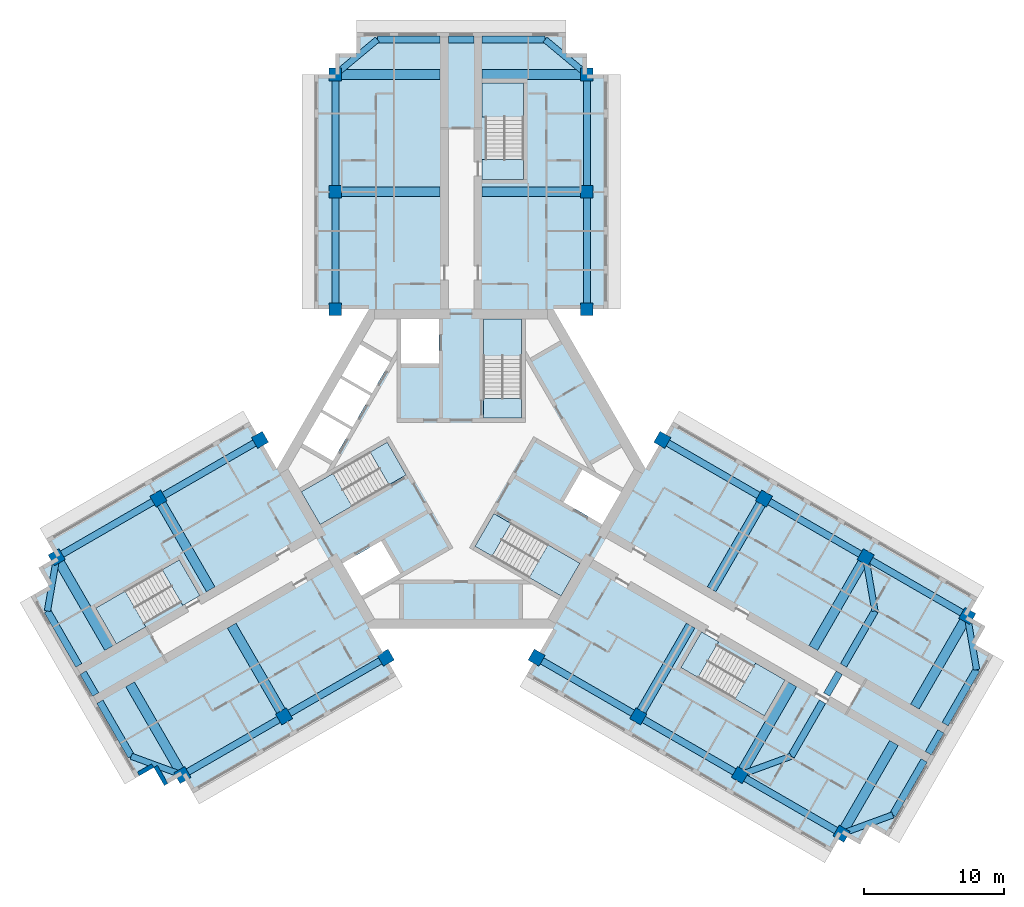
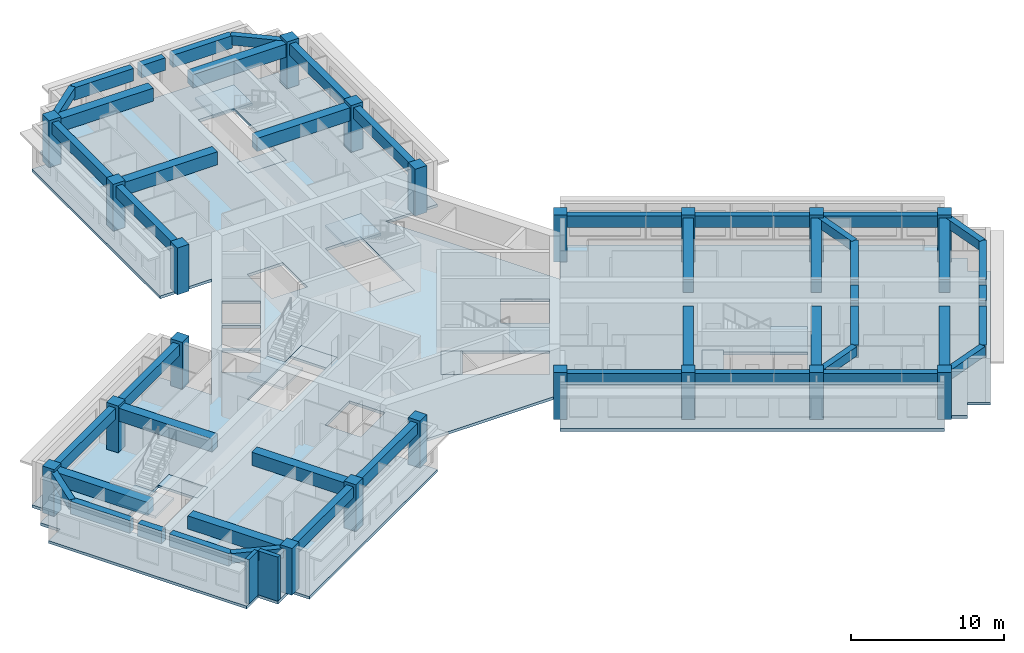
# One storey, part 1 of 11: 48 beams, 20 columns, 13 slabs, 2 walls, 6 elements without a shape of their own.
"""IFC4 building model written with IfcOpenShell, lengths in metres."""

import ifcopenshell
import ifcopenshell.guid

model = None  # the IFC model being written
_history = None  # IfcOwnerHistory: only IFC2X3 demands one
_inside = {}  # id of a spatial element -> (the spatial element, [elements in it])
_under = {}  # id of a project, library or spatial element -> (it, [spatial elements below it])
_declared = {}  # id of a project -> (the project, [libraries it declares])
_typed = {}  # id of a type object -> (the type object, [elements of that type])
_made_of = {}  # id of a material, layer set ... -> (it, [elements and type objects made of it])


def new_model(schema):
    """Start an empty IFC model of exactly this schema.

    Asked for "IFC4X3", IfcOpenShell would pick the latest addendum, in which some entities
    have other attributes; the version numbers below select the first issue.
    IFC2X3 requires an IfcOwnerHistory on every rooted entity: one is made here for all.
    """
    global model, _history
    if schema == "IFC4X3":
        model = ifcopenshell.file(schema_version=(4, 3, 0, 0))
    else:
        model = ifcopenshell.file(schema=schema)
    _inside.clear()
    _under.clear()
    _declared.clear()
    _typed.clear()
    _made_of.clear()
    _history = None
    if model.schema == "IFC2X3":
        org = make("IfcOrganization", Name="unknown")
        user = make(
            "IfcPersonAndOrganization",
            ThePerson=make("IfcPerson", FamilyName="unknown"),
            TheOrganization=org,
        )
        app = make(
            "IfcApplication",
            ApplicationDeveloper=org,
            Version="unknown",
            ApplicationFullName="unknown",
            ApplicationIdentifier="unknown",
        )
        _history = make(
            "IfcOwnerHistory",
            OwningUser=user,
            OwningApplication=app,
            ChangeAction="ADDED",
            CreationDate=0,
        )
    return model


def make(cls, **values):
    """One entity of the class cls with the attributes given. An attribute that is None is left unset."""
    return model.create_entity(
        cls, **{name: value for name, value in values.items() if value is not None}
    )


def rooted(cls, **values):
    """An entity with a GlobalId (a new one), such as an element, a storey or a relation."""
    return make(cls, GlobalId=ifcopenshell.guid.new(), OwnerHistory=_history, **values)


def si_unit(unit_type, name, prefix=None):
    """IfcSIUnit, for example si_unit("LENGTHUNIT", "METRE", prefix="MILLI")."""
    return make("IfcSIUnit", UnitType=unit_type, Prefix=prefix, Name=name)


def assignment(units):
    """IfcUnitAssignment: the units of a project."""
    return None if units is None else make("IfcUnitAssignment", Units=units)


def point(xyz):
    """IfcCartesianPoint."""
    return None if xyz is None else make("IfcCartesianPoint", Coordinates=xyz)


def direction(xyz):
    """IfcDirection."""
    return None if xyz is None else make("IfcDirection", DirectionRatios=xyz)


def frame(location, z_axis=None, x_axis=None):
    """IfcAxis2Placement3D, a coordinate frame: its origin and axes. An axis left out is left unset."""
    return make(
        "IfcAxis2Placement3D",
        Location=point(location),
        Axis=direction(z_axis),
        RefDirection=direction(x_axis),
    )


def frame_2d(location, x_axis=None):
    """IfcAxis2Placement2D, a coordinate frame in the plane: its origin and x axis."""
    return make(
        "IfcAxis2Placement2D", Location=point(location), RefDirection=direction(x_axis)
    )


def origin():
    """The frame at (0, 0, 0) with its axes left unset."""
    return frame((0.0, 0.0, 0.0))


def origin_2d():
    """The frame at (0, 0) in the plane with its x axis left unset."""
    return frame_2d((0.0, 0.0))


def place(relative_to, where):
    """IfcLocalPlacement: puts the frame where relative to a parent placement (None: the world)."""
    return make(
        "IfcLocalPlacement", PlacementRelTo=relative_to, RelativePlacement=where
    )


def context(
    kind, dimensions, precision=None, world=None, true_north=None, identifier=None
):
    """IfcGeometricRepresentationContext, for example the 3D "Model" context."""
    return make(
        "IfcGeometricRepresentationContext",
        ContextIdentifier=identifier,
        ContextType=kind,
        CoordinateSpaceDimension=dimensions,
        Precision=precision,
        WorldCoordinateSystem=world,
        TrueNorth=true_north,
    )


def subcontext(parent, identifier, kind, view, scale=None):
    """IfcGeometricRepresentationSubContext, for example "Body" below "Model"."""
    return make(
        "IfcGeometricRepresentationSubContext",
        ContextIdentifier=identifier,
        ContextType=kind,
        ParentContext=parent,
        TargetScale=scale,
        TargetView=view,
    )


def project(units=None, contexts=None):
    """IfcProject with its units and contexts."""
    return rooted(
        "IfcProject",
        Name="project",
        RepresentationContexts=contexts,
        UnitsInContext=assignment(units),
    )


def spatial(cls, under=None, at=None, **own):
    """A site, building, storey or space (cls), placed at a placement, below another one or the project."""
    s = rooted(cls, ObjectPlacement=at, **own)
    if under is not None:
        _under.setdefault(under.id(), (under, []))[1].append(s)
    return s


def polyline(points):
    """IfcPolyline through the points."""
    return make("IfcPolyline", Points=[point(p) for p in points])


def profile(cls, at=None, kind="AREA", **sizes):
    """A parametric profile (cls). Its sizes go by their IFC names, for example OverallWidth=200.0."""
    return make(cls, ProfileType=kind, Position=at, **sizes)


def rectangle(**sizes):
    """IfcRectangleProfileDef."""
    return profile("IfcRectangleProfileDef", **sizes)


def outline(outer, holes=None, kind="AREA"):
    """IfcArbitraryClosedProfileDef: a profile drawn as a closed curve; with holes, ...WithVoids."""
    if holes is None:
        return make("IfcArbitraryClosedProfileDef", ProfileType=kind, OuterCurve=outer)
    return make(
        "IfcArbitraryProfileDefWithVoids",
        ProfileType=kind,
        OuterCurve=outer,
        InnerCurves=holes,
    )


def extrude(swept, where, along, depth):
    """IfcExtrudedAreaSolid: the profile swept, set in the frame where, extruded along a direction by depth."""
    return make(
        "IfcExtrudedAreaSolid",
        SweptArea=swept,
        Position=where,
        ExtrudedDirection=direction(along),
        Depth=depth,
    )


def shape(context_of_items, identifier, shape_type, items):
    """IfcShapeRepresentation: the items that make up one representation, for example the "Body"."""
    return make(
        "IfcShapeRepresentation",
        ContextOfItems=context_of_items,
        RepresentationIdentifier=identifier,
        RepresentationType=shape_type,
        Items=items,
    )


def material(Name=None, Category=None):
    """IfcMaterial."""
    return make("IfcMaterial", Name=Name, Category=Category)


def layer(
    of_material, thickness, ventilated=None, Name=None, Category=None, Priority=None
):
    """IfcMaterialLayer: one layer of a wall or slab, of a material (None: an air gap)."""
    return make(
        "IfcMaterialLayer",
        Material=of_material,
        LayerThickness=thickness,
        IsVentilated=ventilated,
        Name=Name,
        Category=Category,
        Priority=Priority,
    )


def layer_set(layers, Name=None):
    """IfcMaterialLayerSet."""
    return make("IfcMaterialLayerSet", MaterialLayers=layers, LayerSetName=Name)


def material_profile(
    of_material, cross_section, Name=None, Category=None, Priority=None
):
    """IfcMaterialProfile: a cross section and its material."""
    return make(
        "IfcMaterialProfile",
        Name=Name,
        Material=of_material,
        Profile=cross_section,
        Priority=Priority,
        Category=Category,
    )


def profile_set(profiles, Name=None, composite=None):
    """IfcMaterialProfileSet."""
    return make(
        "IfcMaterialProfileSet",
        Name=Name,
        MaterialProfiles=profiles,
        CompositeProfile=composite,
    )


def made_of(thing, what):
    """Note that an element or type object is made of a material, layer set ...; save() writes the relation."""
    if what is not None:
        _made_of.setdefault(what.id(), (what, []))[1].append(thing)
    return thing


def type_object(cls, material=None, **own):
    """A type object (cls), such as IfcWallType, which elements share."""
    return made_of(rooted(cls, **own), material)


def element(
    cls,
    number,
    at=None,
    inside=None,
    cuts=None,
    type_object=None,
    material=None,
    context=None,
    identifier="Body",
    shape_type=None,
    held_by="IfcProductDefinitionShape",
    body=None,
    shapes=None,
    **own,
):
    """One element of the class cls, such as IfcWall. Its Tag is "e" and its number.

    at: its placement. inside: the storey or other place that contains it. cuts: it is an
    opening in that element (IfcRelVoidsElement). A single representation is given by context,
    identifier, shape_type and body (its items); several are given by shapes. held_by: the class
    of the entity that holds the representations. save() writes the other relations.
    """
    e = rooted(cls, Tag="e%d" % number, ObjectPlacement=at, **own)
    if body is not None:
        shapes = [shape(context, identifier, shape_type, body)]
    if shapes is not None:
        e.Representation = make(held_by, Representations=shapes)
    if inside is not None:
        _inside.setdefault(inside.id(), (inside, []))[1].append(e)
    if cuts is not None:
        rooted(
            "IfcRelVoidsElement", RelatingBuildingElement=cuts, RelatedOpeningElement=e
        )
    if type_object is not None:
        _typed.setdefault(type_object.id(), (type_object, []))[1].append(e)
    return made_of(e, material)


def aggregate(whole, parts):
    """IfcRelAggregates: a whole, such as a stair, and the parts it consists of."""
    return rooted("IfcRelAggregates", RelatingObject=whole, RelatedObjects=parts)


def save(model, path):
    """Write the relations noted so far, then the file.

    IfcRelAggregates (storeys below a building ...), IfcRelContainedInSpatialStructure (elements
    in a storey), IfcRelDefinesByType, IfcRelAssociatesMaterial and IfcRelDeclares: one each for
    every whole, place, type object, material and project.
    """
    for whole, parts in _under.values():
        aggregate(whole, parts)
    for where, things in _inside.values():
        rooted(
            "IfcRelContainedInSpatialStructure",
            RelatedElements=things,
            RelatingStructure=where,
        )
    for kind, things in _typed.values():
        rooted("IfcRelDefinesByType", RelatedObjects=things, RelatingType=kind)
    for what, things in _made_of.values():
        rooted("IfcRelAssociatesMaterial", RelatedObjects=things, RelatingMaterial=what)
    for by, libraries in _declared.values():
        rooted("IfcRelDeclares", RelatingContext=by, RelatedDefinitions=libraries)
    model.write(path)


model = new_model("IFC4")

# Units and contexts
model_context = context("Model", 3, precision=1e-05, world=origin(), true_north=direction((0.0, 1.0)))
body_context = subcontext(model_context, "Body", "Model", "MODEL_VIEW")
ifc_project = project(units=[si_unit("LENGTHUNIT", "METRE"), si_unit("AREAUNIT", "SQUARE_METRE"), si_unit("VOLUMEUNIT", "CUBIC_METRE"), si_unit("PLANEANGLEUNIT", "RADIAN"), si_unit("MASSUNIT", "GRAM", prefix="KILO")], contexts=[model_context])

# Site, building, storey
site_placement = place(None, origin())
site = spatial("IfcSite", under=ifc_project, at=site_placement, CompositionType="ELEMENT")
building_placement = place(site_placement, origin())
building = spatial("IfcBuilding", under=site, at=building_placement, Name="Impinga Residences", CompositionType="ELEMENT")
storey_placement = place(building_placement, frame((0.0, 0.0, 244.75)))
storey = spatial("IfcBuildingStorey", under=building, at=storey_placement, Name="L61", CompositionType="ELEMENT", Elevation=244.75)

# Columns
ifc_material_1 = material(Name="Concrete C60/75", Category="concrete")
ifc_material_profile_1 = material_profile(ifc_material_1, rectangle(XDim=0.89990234375, YDim=0.89990234375, at=origin_2d()), Name="RC 900x900")
ifc_profile_set_1 = profile_set([ifc_material_profile_1], Name="Concrete C60/75")
column_type = type_object("IfcColumnType", Name="C4 900x900 column", PredefinedType="COLUMN", material=ifc_profile_set_1)
for number, where, z_axis, x_axis, name in (
    (1, (-9.0, 11.431640625, 0.0), (0.0, 0.0, 1.0), (1.0, 0.0, 0.0), "Column C4 N1/NA L61"),
    (2, (9.0, 11.431640625, 0.0), (0.0, 0.0, 1.0), (1.0, 0.0, 0.0), "Column C4 N1/NF L61"),
    (3, (-9.0, 19.83154296875, 0.0), (0.0, 0.0, 1.0), (1.0, 0.0, 0.0), "Column C4 N2/NA L61"),
    (4, (9.0, 19.83154296875, 0.0), (0.0, 0.0, 1.0), (1.0, 0.0, 0.0), "Column C4 N2/NF L61"),
    (5, (-9.0, 28.2314453125, 0.0), (0.0, 0.0, 1.0), (1.0, 0.0, 0.0), "Column C4 N3/NA L61"),
    (6, (9.0, 28.2314453125, 0.0), (0.0, 0.0, 1.0), (1.0, 0.0, 0.0), "Column C4 N3/NF L61"),
    (7, (-5.39990234375, -13.510009765625, 0.0), (0.0, 0.0, 1.0), (-0.5, 0.866025403784, 0.0), "Column C4 W1/WA L61"),
    (8, (-14.39990234375, 2.078369140625, 0.0), (0.0, 0.0, 1.0), (-0.5, 0.866025403784, 0.0), "Column C4 W1/WF L61"),
    (9, (-12.674560546875, -17.7099609375, 0.0), (0.0, 0.0, 1.0), (-0.5, 0.866025403784, 0.0), "Column C4 W2/WA L61"),
    (10, (-21.674560546875, -2.12158203125, 0.0), (0.0, 0.0, 1.0), (-0.5, 0.866025403784, 0.0), "Column C4 W2/WF L61"),
    (11, (-19.94921875, -21.909912109375, 0.0), (0.0, 0.0, 1.0), (-0.5, 0.866025403784, 0.0), "Column C4 W3/WA L61"),
    (12, (-28.94921875, -6.321533203125, 0.0), (0.0, 0.0, 1.0), (-0.5, 0.866025403784, 0.0), "Column C4 W3/WF L61"),
    (13, (14.39990234375, 2.078369140625, 0.0), (0.0, 0.0, 1.0), (-0.5, -0.866025403784, 0.0), "Column C4 E1/EA L61"),
    (14, (5.39990234375, -13.510009765625, 0.0), (0.0, 0.0, 1.0), (-0.5, -0.866025403784, 0.0), "Column C4 E1/EF L61"),
    (15, (21.674560546875, -2.12158203125, 0.0), (0.0, 0.0, 1.0), (-0.5, -0.866025403784, 0.0), "Column C4 E2/EA L61"),
    (16, (12.674560546875, -17.7099609375, 0.0), (0.0, 0.0, 1.0), (-0.5, -0.866025403784, 0.0), "Column C4 E2/EF L61"),
    (17, (28.94921875, -6.321533203125, 0.0), (0.0, 0.0, 1.0), (-0.5, -0.866025403784, 0.0), "Column C4 E3/EA L61"),
    (18, (19.94921875, -21.909912109375, 0.0), (0.0, 0.0, 1.0), (-0.5, -0.866025403784, 0.0), "Column C4 E3/EF L61"),
    (19, (36.223876953125, -10.521484375, 0.0), (0.0, 0.0, 1.0), (-0.5, -0.866025403784, 0.0), "Column C4 E4/EA L61"),
    (20, (27.223876953125, -26.110107421875, 0.0), (0.0, 0.0, 1.0), (-0.5, -0.866025403784, 0.0), "Column C4 E4/EF L61"),
):
    element("IfcColumn", number, at=place(storey_placement, frame(where, z_axis=z_axis, x_axis=x_axis)), inside=storey, type_object=column_type, Name=name, PredefinedType="COLUMN", context=body_context, shape_type="SweptSolid", body=[
        extrude(rectangle(XDim=0.89990234375, YDim=0.89990234375, at=origin_2d()), origin(), (0.0, 0.0, 1.0), 3.75),
    ])

# Beams
ifc_material_profile_2 = material_profile(ifc_material_1, rectangle(XDim=0.449951171875, YDim=0.75, at=origin_2d()), Name="RC 450x750")
ifc_profile_set_2 = profile_set([ifc_material_profile_2], Name="Concrete C60/75")
beam_type_1 = type_object("IfcBeamType", Name="CB1 450x750 wing end cantilever beam", PredefinedType="BEAM", material=ifc_profile_set_2)
for number, where, z_axis, x_axis, name in (
    (21, (-9.0, 28.2314453125, 3.155029296875), (0.768221279597, 0.640184399664, 0.0), (-0.640184399664, 0.768221279597, 0.0), "Beam CB1 NB N3-NX level L62"),
    (22, (9.0, 28.2314453125, 3.155029296875), (-0.768221279597, 0.640184399664, 0.0), (-0.640184399664, -0.768221279597, 0.0), "Beam CB1 NE N3-NX level L62"),
    (23, (-19.94921875, -21.909912109375, 3.155029296875), (-0.93854043338, 0.345169313396, 0.0), (-0.345169313396, -0.93854043338, 0.0), "Beam CB1 WB W3-WX level L62"),
):
    element("IfcBeam", number, at=place(storey_placement, frame(where, z_axis=z_axis, x_axis=x_axis)), inside=storey, type_object=beam_type_1, Name=name, PredefinedType="BEAM", context=body_context, shape_type="SweptSolid", body=[
        extrude(rectangle(XDim=0.449951171875, YDim=0.75, at=origin_2d()), origin(), (0.0, 0.0, 1.0), 3.905029296875),
    ])
for number, where, z_axis, x_axis, name in (
    (24, (-28.94921875, -6.321533203125, 3.155029296875), (-0.170296298948, -0.985392901621, 0.0), (0.985392901621, -0.170296298948, 0.0), "Beam CB1 WE W3-WX level L62"),
    (25, (28.94921875, -6.321533203125, 3.155029296875), (0.170296298948, -0.985392901621, 0.0), (0.985392901621, 0.170296298948, 0.0), "Beam CB1 EB E3-EX level L62"),
):
    element("IfcBeam", number, at=place(storey_placement, frame(where, z_axis=z_axis, x_axis=x_axis)), inside=storey, type_object=beam_type_1, Name=name, PredefinedType="BEAM", context=body_context, shape_type="SweptSolid", body=[
        extrude(rectangle(XDim=0.449951171875, YDim=0.75, at=origin_2d()), origin(), (0.0, 0.0, 1.0), 3.9052734375),
    ])
beam_1_placement = place(storey_placement, frame((19.94921875, -21.909912109375, 3.155029296875), z_axis=(0.93854043338, 0.345169313396, 0.0), x_axis=(-0.345169313396, 0.93854043338, 0.0)))
element("IfcBeam", 26, at=beam_1_placement, inside=storey, type_object=beam_type_1, Name="Beam CB1 EE E3-EX level L62", PredefinedType="BEAM", context=body_context, shape_type="SweptSolid", body=[
    extrude(rectangle(XDim=0.449951171875, YDim=0.75, at=origin_2d()), origin(), (0.0, 0.0, 1.0), 3.905029296875),
])
beam_2_placement = place(storey_placement, frame((36.223876953125, -10.521484375, 3.155029296875), z_axis=(0.170296298948, -0.985392901621, 0.0), x_axis=(0.985392901621, 0.170296298948, 0.0)))
element("IfcBeam", 27, at=beam_2_placement, inside=storey, type_object=beam_type_1, Name="Beam CB1 EB E4-EX level L62", PredefinedType="BEAM", context=body_context, shape_type="SweptSolid", body=[
    extrude(rectangle(XDim=0.449951171875, YDim=0.75, at=origin_2d()), origin(), (0.0, 0.0, 1.0), 3.9052734375),
])
beam_3_placement = place(storey_placement, frame((27.223876953125, -26.110107421875, 3.155029296875), z_axis=(0.938520178725, 0.345224382289, 0.0), x_axis=(-0.345224382289, 0.938520178725, 0.0)))
element("IfcBeam", 28, at=beam_3_placement, inside=storey, type_object=beam_type_1, Name="Beam CB1 EE E4-EX level L62", PredefinedType="BEAM", context=body_context, shape_type="SweptSolid", body=[
    extrude(rectangle(XDim=0.449951171875, YDim=0.75, at=origin_2d()), origin(), (0.0, 0.0, 1.0), 3.905029296875),
])
ifc_material_profile_3 = material_profile(ifc_material_1, rectangle(XDim=0.699951171875, YDim=1.050048828125, at=origin_2d()), Name="RC 700x1050")
ifc_profile_set_3 = profile_set([ifc_material_profile_3], Name="Concrete C60/75")
beam_type_2 = type_object("IfcBeamType", Name="CG1 700x1050 cross girder on a wing bay line", PredefinedType="BEAM", material=ifc_profile_set_3)
for number, where, z_axis, x_axis, name in (
    (29, (-1.5, 19.83154296875, 3.0048828125), (-1.0, 0.0, 0.0), (0.0, -1.0, 0.0), "Beam CG1 N2 NC/NA level L62"),
    (30, (-1.5, 28.2314453125, 3.0048828125), (-1.0, 0.0, 0.0), (0.0, -1.0, 0.0), "Beam CG1 N3 NC/NA level L62"),
    (31, (1.5, 19.83154296875, 3.0048828125), (1.0, 0.0, 0.0), (0.0, 1.0, 0.0), "Beam CG1 N2 NC/NF level L62"),
    (32, (1.5, 28.2314453125, 3.0048828125), (1.0, 0.0, 0.0), (0.0, 1.0, 0.0), "Beam CG1 N3 NC/NF level L62"),
    (33, (-16.424560546875, -11.21484375, 3.0048828125), (0.500004234368, -0.866022959057, 0.0), (0.866022959057, 0.500004234368, 0.0), "Beam CG1 W2 WC/WA level L62"),
    (34, (-23.69921875, -15.414794921875, 3.0048828125), (0.500004234368, -0.866022959057, 0.0), (0.866022959057, 0.500004234368, 0.0), "Beam CG1 W3 WC/WA level L62"),
    (35, (-17.924560546875, -8.61669921875, 3.0048828125), (-0.500004234368, 0.866022959057, 0.0), (-0.866022959057, -0.500004234368, 0.0), "Beam CG1 W2 WC/WF level L62"),
    (36, (-25.19921875, -12.816650390625, 3.0048828125), (-0.500004234368, 0.866022959057, 0.0), (-0.866022959057, -0.500004234368, 0.0), "Beam CG1 W3 WC/WF level L62"),
    (37, (17.924560546875, -8.61669921875, 3.0048828125), (0.500004234368, 0.866022959057, 0.0), (-0.866022959057, 0.500004234368, 0.0), "Beam CG1 E2 EC/EA level L62"),
    (38, (25.19921875, -12.816650390625, 3.0048828125), (0.500004234368, 0.866022959057, 0.0), (-0.866022959057, 0.500004234368, 0.0), "Beam CG1 E3 EC/EA level L62"),
):
    element("IfcBeam", number, at=place(storey_placement, frame(where, z_axis=z_axis, x_axis=x_axis)), inside=storey, type_object=beam_type_2, Name=name, PredefinedType="BEAM", context=body_context, shape_type="SweptSolid", body=[
        extrude(rectangle(XDim=0.699951171875, YDim=1.050048828125, at=origin_2d()), origin(), (0.0, 0.0, 1.0), 7.5),
    ])
beam_4_placement = place(storey_placement, frame((32.473876953125, -17.016845703125, 3.0048828125), z_axis=(0.499990139034, 0.866031096941, 0.0), x_axis=(-0.866031096941, 0.499990139034, 0.0)))
element("IfcBeam", 39, at=beam_4_placement, inside=storey, type_object=beam_type_2, Name="Beam CG1 E4 EC/EA level L62", PredefinedType="BEAM", context=body_context, shape_type="SweptSolid", body=[
    extrude(rectangle(XDim=0.699951171875, YDim=1.050048828125, at=origin_2d()), origin(), (0.0, 0.0, 1.0), 7.500244140625),
])
for number, where, z_axis, x_axis, name in (
    (40, (16.424560546875, -11.21484375, 3.0048828125), (-0.500004234368, -0.866022959057, 0.0), (0.866022959057, -0.500004234368, 0.0), "Beam CG1 E2 EC/EF level L62"),
    (41, (23.69921875, -15.414794921875, 3.0048828125), (-0.500004234368, -0.866022959057, 0.0), (0.866022959057, -0.500004234368, 0.0), "Beam CG1 E3 EC/EF level L62"),
):
    element("IfcBeam", number, at=place(storey_placement, frame(where, z_axis=z_axis, x_axis=x_axis)), inside=storey, type_object=beam_type_2, Name=name, PredefinedType="BEAM", context=body_context, shape_type="SweptSolid", body=[
        extrude(rectangle(XDim=0.699951171875, YDim=1.050048828125, at=origin_2d()), origin(), (0.0, 0.0, 1.0), 7.5),
    ])
beam_5_placement = place(storey_placement, frame((30.973876953125, -19.61474609375, 3.0048828125), z_axis=(-0.499990139034, -0.866031096941, 0.0), x_axis=(0.866031096941, -0.499990139034, 0.0)))
element("IfcBeam", 42, at=beam_5_placement, inside=storey, type_object=beam_type_2, Name="Beam CG1 E4 EC/EF level L62", PredefinedType="BEAM", context=body_context, shape_type="SweptSolid", body=[
    extrude(rectangle(XDim=0.699951171875, YDim=1.050048828125, at=origin_2d()), origin(), (0.0, 0.0, 1.0), 7.500244140625),
])
ifc_material_profile_4 = material_profile(ifc_material_1, rectangle(XDim=0.5, YDim=1.0, at=origin_2d()), Name="RC 500x1000")
ifc_profile_set_4 = profile_set([ifc_material_profile_4], Name="Concrete C60/75")
beam_type_3 = type_object("IfcBeamType", Name="EB1 500x1000 wing end beam", PredefinedType="BEAM", material=ifc_profile_set_4)
beam_6_placement = place(storey_placement, frame((-6.0, 30.7314453125, 3.030029296875), z_axis=(1.0, 0.0, 0.0), x_axis=(0.0, 1.0, 0.0)))
element("IfcBeam", 43, at=beam_6_placement, inside=storey, type_object=beam_type_3, Name="Beam EB1 NX2 level L62", PredefinedType="BEAM", context=body_context, shape_type="SweptSolid", body=[
    extrude(rectangle(XDim=0.5, YDim=1.0, at=origin_2d()), origin(), (0.0, 0.0, 1.0), 4.5),
])
beam_7_placement = place(storey_placement, frame((-0.89990234375, 30.7314453125, 3.030029296875), z_axis=(1.0, 0.0, 0.0), x_axis=(0.0, 1.0, 0.0)))
element("IfcBeam", 44, at=beam_7_placement, inside=storey, type_object=beam_type_3, Name="Beam EB1 NX2 level L62", PredefinedType="BEAM", context=body_context, shape_type="SweptSolid", body=[
    extrude(rectangle(XDim=0.5, YDim=1.0, at=origin_2d()), origin(), (0.0, 0.0, 1.0), 1.7998046875),
])
for number, where, z_axis, x_axis, name in (
    (45, (1.5, 30.7314453125, 3.030029296875), (1.0, 0.0, 0.0), (0.0, 1.0, 0.0), "Beam EB1 NX2 level L62"),
    (46, (-23.6142578125, -20.56201171875, 3.030029296875), (-0.499990139034, 0.866031096941, 0.0), (-0.866031096941, -0.499990139034, 0.0), "Beam EB1 WX2 level L62"),
):
    element("IfcBeam", number, at=place(storey_placement, frame(where, z_axis=z_axis, x_axis=x_axis)), inside=storey, type_object=beam_type_3, Name=name, PredefinedType="BEAM", context=body_context, shape_type="SweptSolid", body=[
        extrude(rectangle(XDim=0.5, YDim=1.0, at=origin_2d()), origin(), (0.0, 0.0, 1.0), 4.5),
    ])
beam_8_placement = place(storey_placement, frame((-26.164306640625, -16.145263671875, 3.030029296875), z_axis=(-0.499961193289, 0.866047807691, 0.0), x_axis=(-0.866047807691, -0.499961193289, 0.0)))
element("IfcBeam", 47, at=beam_8_placement, inside=storey, type_object=beam_type_3, Name="Beam EB1 WX2 level L62", PredefinedType="BEAM", context=body_context, shape_type="SweptSolid", body=[
    extrude(rectangle(XDim=0.5, YDim=1.0, at=origin_2d()), origin(), (0.0, 0.0, 1.0), 1.800048828125),
])
for number, where, z_axis, x_axis, name in (
    (48, (-27.3642578125, -14.066650390625, 3.030029296875), (-0.500013631625, 0.866017533419, 0.0), (-0.866017533419, -0.500013631625, 0.0), "Beam EB1 WX2 level L62"),
    (49, (29.6142578125, -10.169677734375, 3.030029296875), (-0.500013631625, -0.866017533419, 0.0), (0.866017533419, -0.500013631625, 0.0), "Beam EB1 EX2 level L62"),
):
    element("IfcBeam", number, at=place(storey_placement, frame(where, z_axis=z_axis, x_axis=x_axis)), inside=storey, type_object=beam_type_3, Name=name, PredefinedType="BEAM", context=body_context, shape_type="SweptSolid", body=[
        extrude(rectangle(XDim=0.5, YDim=1.0, at=origin_2d()), origin(), (0.0, 0.0, 1.0), 4.499755859375),
    ])
beam_9_placement = place(storey_placement, frame((27.064208984375, -14.58642578125, 3.030029296875), z_axis=(-0.499961193289, -0.866047807691, 0.0), x_axis=(0.866047807691, -0.499961193289, 0.0)))
element("IfcBeam", 50, at=beam_9_placement, inside=storey, type_object=beam_type_3, Name="Beam EB1 EX2 level L62", PredefinedType="BEAM", context=body_context, shape_type="SweptSolid", body=[
    extrude(rectangle(XDim=0.5, YDim=1.0, at=origin_2d()), origin(), (0.0, 0.0, 1.0), 1.800048828125),
])
for number, where, z_axis, x_axis, name in (
    (51, (25.8642578125, -16.664794921875, 3.030029296875), (-0.499990139034, -0.866031096941, 0.0), (0.866031096941, -0.499990139034, 0.0), "Beam EB1 EX2 level L62"),
    (52, (36.888916015625, -14.36962890625, 3.030029296875), (-0.499990139034, -0.866031096941, 0.0), (0.866031096941, -0.499990139034, 0.0), "Beam EB1 EX3 level L62"),
):
    element("IfcBeam", number, at=place(storey_placement, frame(where, z_axis=z_axis, x_axis=x_axis)), inside=storey, type_object=beam_type_3, Name=name, PredefinedType="BEAM", context=body_context, shape_type="SweptSolid", body=[
        extrude(rectangle(XDim=0.5, YDim=1.0, at=origin_2d()), origin(), (0.0, 0.0, 1.0), 4.5),
    ])
beam_10_placement = place(storey_placement, frame((34.3388671875, -18.786376953125, 3.030029296875), z_axis=(-0.499961193289, -0.866047807691, 0.0), x_axis=(0.866047807691, -0.499961193289, 0.0)))
element("IfcBeam", 53, at=beam_10_placement, inside=storey, type_object=beam_type_3, Name="Beam EB1 EX3 level L62", PredefinedType="BEAM", context=body_context, shape_type="SweptSolid", body=[
    extrude(rectangle(XDim=0.5, YDim=1.0, at=origin_2d()), origin(), (0.0, 0.0, 1.0), 1.800048828125),
])
beam_11_placement = place(storey_placement, frame((33.138916015625, -20.86474609375, 3.030029296875), z_axis=(-0.499990139034, -0.866031096941, 0.0), x_axis=(0.866031096941, -0.499990139034, 0.0)))
element("IfcBeam", 54, at=beam_11_placement, inside=storey, type_object=beam_type_3, Name="Beam EB1 EX3 level L62", PredefinedType="BEAM", context=body_context, shape_type="SweptSolid", body=[
    extrude(rectangle(XDim=0.5, YDim=1.0, at=origin_2d()), origin(), (0.0, 0.0, 1.0), 4.5),
])
ifc_material_profile_5 = material_profile(ifc_material_1, rectangle(XDim=0.5, YDim=0.89990234375, at=origin_2d()), Name="RC 500x900")
ifc_profile_set_5 = profile_set([ifc_material_profile_5], Name="Concrete C60/75")
beam_type_4 = type_object("IfcBeamType", Name="SB1 500x900 perimeter spandrel beam", PredefinedType="SPANDREL", material=ifc_profile_set_5)
for number, where, z_axis, x_axis, name in (
    (55, (-9.0, 11.431640625, 3.080078125), (0.0, 1.0, 0.0), (-1.0, 0.0, 0.0), "Beam SB1 NA N1-N2 level L62"),
    (56, (-9.0, 19.83154296875, 3.080078125), (0.0, 1.0, 0.0), (-1.0, 0.0, 0.0), "Beam SB1 NA N2-N3 level L62"),
    (57, (9.0, 11.431640625, 3.080078125), (0.0, 1.0, 0.0), (-1.0, 0.0, 0.0), "Beam SB1 NF N1-N2 level L62"),
    (58, (9.0, 19.83154296875, 3.080078125), (0.0, 1.0, 0.0), (-1.0, 0.0, 0.0), "Beam SB1 NF N2-N3 level L62"),
    (59, (-5.39990234375, -13.510009765625, 3.080078125), (-0.86602925447, -0.499993330357, 0.0), (0.499993330357, -0.86602925447, 0.0), "Beam SB1 WA W1-W2 level L62"),
    (60, (-12.674560546875, -17.7099609375, 3.080078125), (-0.86602925447, -0.499993330357, 0.0), (0.499993330357, -0.86602925447, 0.0), "Beam SB1 WA W2-W3 level L62"),
    (61, (-14.39990234375, 2.078369140625, 3.080078125), (-0.86602925447, -0.499993330357, 0.0), (0.499993330357, -0.86602925447, 0.0), "Beam SB1 WF W1-W2 level L62"),
    (62, (-21.674560546875, -2.12158203125, 3.080078125), (-0.86602925447, -0.499993330357, 0.0), (0.499993330357, -0.86602925447, 0.0), "Beam SB1 WF W2-W3 level L62"),
    (63, (14.39990234375, 2.078369140625, 3.080078125), (0.86602925447, -0.499993330357, 0.0), (0.499993330357, 0.86602925447, 0.0), "Beam SB1 EA E1-E2 level L62"),
    (64, (21.674560546875, -2.12158203125, 3.080078125), (0.86602925447, -0.499993330357, 0.0), (0.499993330357, 0.86602925447, 0.0), "Beam SB1 EA E2-E3 level L62"),
    (65, (28.94921875, -6.321533203125, 3.080078125), (0.86602925447, -0.499993330357, 0.0), (0.499993330357, 0.86602925447, 0.0), "Beam SB1 EA E3-E4 level L62"),
    (66, (5.39990234375, -13.510009765625, 3.080078125), (0.86602925447, -0.499993330357, 0.0), (0.499993330357, 0.86602925447, 0.0), "Beam SB1 EF E1-E2 level L62"),
    (67, (12.674560546875, -17.7099609375, 3.080078125), (0.86602925447, -0.499993330357, 0.0), (0.499993330357, 0.86602925447, 0.0), "Beam SB1 EF E2-E3 level L62"),
):
    element("IfcBeam", number, at=place(storey_placement, frame(where, z_axis=z_axis, x_axis=x_axis)), inside=storey, type_object=beam_type_4, Name=name, PredefinedType="SPANDREL", context=body_context, shape_type="SweptSolid", body=[
        extrude(rectangle(XDim=0.5, YDim=0.89990234375, at=origin_2d()), origin(), (0.0, 0.0, 1.0), 8.39990234375),
    ])
beam_12_placement = place(storey_placement, frame((19.94921875, -21.909912109375, 3.080078125), z_axis=(0.866016669275, -0.500015128309, 0.0), x_axis=(0.500015128309, 0.866016669275, 0.0)))
element("IfcBeam", 68, at=beam_12_placement, inside=storey, type_object=beam_type_4, Name="Beam SB1 EF E3-E4 level L62", PredefinedType="SPANDREL", context=body_context, shape_type="SweptSolid", body=[
    extrude(rectangle(XDim=0.5, YDim=0.89990234375, at=origin_2d()), origin(), (0.0, 0.0, 1.0), 8.400146484375),
])

# Slab
ifc_layer_1 = layer(ifc_material_1, 0.219970703125)
ifc_layer_set_1 = layer_set([ifc_layer_1], Name="Concrete C60/75")
slab_type_1 = type_object("IfcSlabType", Name="FS1 tower floor slab 220", PredefinedType="FLOOR", material=ifc_layer_set_1)
slab_1_placement = place(storey_placement, frame((0.0, 0.0, -0.219970703125)))
element("IfcSlab", 69, at=slab_1_placement, inside=storey, type_object=slab_type_1, Name="Floor slab FS1 L61", PredefinedType="FLOOR", context=body_context, shape_type="SweptSolid", body=[
    extrude(outline(polyline([(36.223876953125, -10.521484375), (37.52294921875, -11.271484375), (36.77294921875, -12.570556640625), (38.072021484375, -13.320556640625), (30.572021484375, -26.31103515625), (29.27294921875, -25.56103515625), (28.52294921875, -26.860107421875), (27.223876953125, -26.110107421875), (26.473876953125, -27.408935546875), (4.64990234375, -14.80908203125), (9.900146484375, -5.7158203125), (6.60009765625, -11.431640625), (-6.60009765625, -11.431640625), (-9.900146484375, -5.7158203125), (-4.64990234375, -14.80908203125), (-19.19921875, -23.208984375), (-19.94921875, -21.909912109375), (-21.248291015625, -22.659912109375), (-21.998291015625, -21.36083984375), (-23.29736328125, -22.11083984375), (-30.79736328125, -9.12060546875), (-29.498291015625, -8.37060546875), (-30.248291015625, -7.071533203125), (-28.94921875, -6.321533203125), (-29.69921875, -5.0224609375), (-15.14990234375, 3.37744140625), (-13.199951171875, 0.0), (-6.60009765625, 11.431640625), (-10.5, 11.431640625), (-10.5, 28.2314453125), (-9.0, 28.2314453125), (-9.0, 29.7314453125), (-7.5, 29.7314453125), (-7.5, 31.2314453125), (7.5, 31.2314453125), (7.5, 29.7314453125), (9.0, 29.7314453125), (9.0, 28.2314453125), (10.5, 28.2314453125), (10.5, 11.431640625), (6.60009765625, 11.431640625), (13.199951171875, 0.0), (15.14990234375, 3.37744140625), (36.973876953125, -9.222412109375), (36.223876953125, -10.521484375)]), holes=[polyline([(-18.7041015625, -9.066650390625), (-18.8291015625, -8.850341796875), (-18.8291015625, -8.850341796875), (-20.178955078125, -6.511962890625), (-21.391357421875, -7.2119140625), (-21.391357421875, -7.2119140625), (-26.154541015625, -9.9619140625), (-24.8046875, -12.30029296875), (-20.04150390625, -9.55029296875), (-19.91650390625, -9.766845703125), (-18.7041015625, -9.066650390625)]), polyline([(-5.72119140625, -5.150634765625), (-8.493896484375, -6.75146484375), (-7.143798828125, -9.089599609375), (-4.37109375, -7.489013671875), (-5.72119140625, -5.150634765625)]), polyline([(-5.293701171875, 1.908935546875), (-11.44384765625, -1.641845703125), (-10.09375, -3.980224609375), (-3.943603515625, -0.429443359375), (-5.293701171875, 1.908935546875)]), polyline([(-7.878662109375, 2.816650390625), (-10.043701171875, 4.066650390625), (-11.34375, 1.81494140625), (-9.1787109375, 0.56494140625), (-7.878662109375, 2.816650390625)]), polyline([(-6.478759765625, 5.24169921875), (-8.643798828125, 6.49169921875), (-9.94384765625, 4.239990234375), (-7.77880859375, 2.989990234375), (-6.478759765625, 5.24169921875)]), polyline([(-6.378662109375, 5.414794921875), (-5.07861328125, 7.66650390625), (-7.243896484375, 8.91650390625), (-8.543701171875, 6.664794921875), (-6.378662109375, 5.414794921875)]), polyline([(-4.300048828125, 7.530029296875), (-1.60009765625, 7.530029296875), (-1.60009765625, 10.7314453125), (-4.300048828125, 10.7314453125), (-4.300048828125, 7.530029296875)]), polyline([(15.72900390625, -14.219482421875), (21.70458984375, -17.669677734375), (23.0546875, -15.331298828125), (18.29150390625, -12.581298828125), (18.41650390625, -12.36474609375), (17.2041015625, -11.664794921875), (15.72900390625, -14.219482421875)]), polyline([(0.99365234375, -5.538818359375), (7.143798828125, -9.089599609375), (8.493896484375, -6.75146484375), (2.34375, -3.20068359375), (0.99365234375, -5.538818359375)]), polyline([(7.3212890625, -2.37939453125), (10.09375, -3.980224609375), (11.44384765625, -1.641845703125), (8.671142578125, -0.041015625), (7.3212890625, -2.37939453125)]), polyline([(4.300048828125, 3.6298828125), (4.300048828125, 10.7314453125), (1.60009765625, 10.7314453125), (1.60009765625, 3.6298828125), (4.300048828125, 3.6298828125)]), polyline([(1.75, 22.131591796875), (1.5, 22.131591796875), (1.5, 20.7314453125), (1.75, 20.7314453125), (4.449951171875, 20.7314453125), (4.449951171875, 22.131591796875), (4.449951171875, 27.631591796875), (1.75, 27.631591796875), (1.75, 22.131591796875)])]), origin(), (0.0, 0.0, 1.0), 0.219970703125),
])

# Stair, slabs
ifc_material_2 = material(Name="Concrete C40/50", Category="concrete")
stair_type_1 = type_object("IfcStairType", Name="STR core stair 3750 storey, 24 risers", PredefinedType="HALF_TURN_STAIR", material=ifc_material_2)
stair_1_placement = place(storey_placement, origin())
stair_1 = element("IfcStair", 70, at=stair_1_placement, inside=storey, type_object=stair_type_1, Name="Stair ST1 L61", PredefinedType="HALF_TURN_STAIR")
ifc_layer_2 = layer(ifc_material_2, 0.199951171875)
ifc_layer_set_2 = layer_set([ifc_layer_2], Name="Concrete C40/50")
slab_type_2 = type_object("IfcSlabType", Name="LS1 stair landing 200", PredefinedType="LANDING", material=ifc_layer_set_2)
slab_2_placement = place(storey_placement, frame((0.0, 0.0, -0.199951171875)))
slab_2 = element("IfcSlab", 71, at=slab_2_placement, type_object=slab_type_2, Name="ST1 landing 1", PredefinedType="LANDING", context=body_context, shape_type="SweptSolid", body=[
    extrude(outline(polyline([(1.60009765625, 3.6298828125), (4.300048828125, 3.6298828125), (4.300048828125, 5.0400390625), (1.60009765625, 5.0400390625), (1.60009765625, 3.6298828125)])), origin(), (0.0, 0.0, 1.0), 0.199951171875),
])
slab_3_placement = place(storey_placement, frame((0.0, 0.0, 1.675048828125)))
slab_3 = element("IfcSlab", 72, at=slab_3_placement, type_object=slab_type_2, Name="ST1 landing 2", PredefinedType="LANDING", context=body_context, shape_type="SweptSolid", body=[
    extrude(outline(polyline([(1.60009765625, 8.10009765625), (4.300048828125, 8.10009765625), (4.300048828125, 10.7314453125), (1.60009765625, 10.7314453125), (1.60009765625, 8.10009765625)])), origin(), (0.0, 0.0, 1.0), 0.199951171875),
])
aggregate(stair_1, [slab_2, slab_3])

stair_2_placement = place(storey_placement, origin())
stair_2 = element("IfcStair", 73, at=stair_2_placement, inside=storey, type_object=stair_type_1, Name="Stair ST2 L61", PredefinedType="HALF_TURN_STAIR")
slab_4_placement = place(storey_placement, frame((0.0, 0.0, -0.199951171875)))
slab_4 = element("IfcSlab", 74, at=slab_4_placement, type_object=slab_type_2, Name="ST2 landing 1", PredefinedType="LANDING", context=body_context, shape_type="SweptSolid", body=[
    extrude(outline(polyline([(-3.943603515625, -0.429443359375), (-5.293701171875, 1.908935546875), (-6.5146484375, 1.203857421875), (-5.164794921875, -1.13427734375), (-3.943603515625, -0.429443359375)])), origin(), (0.0, 0.0, 1.0), 0.199951171875),
])
slab_5_placement = place(storey_placement, frame((0.0, 0.0, 1.675048828125)))
slab_5 = element("IfcSlab", 75, at=slab_5_placement, type_object=slab_type_2, Name="ST2 landing 2", PredefinedType="LANDING", context=body_context, shape_type="SweptSolid", body=[
    extrude(outline(polyline([(-7.814697265625, -2.664306640625), (-9.164794921875, -0.326171875), (-11.44384765625, -1.641845703125), (-10.09375, -3.980224609375), (-7.814697265625, -2.664306640625)])), origin(), (0.0, 0.0, 1.0), 0.199951171875),
])
aggregate(stair_2, [slab_4, slab_5])

stair_3_placement = place(storey_placement, origin())
stair_3 = element("IfcStair", 76, at=stair_3_placement, inside=storey, type_object=stair_type_1, Name="Stair ST3 L61", PredefinedType="HALF_TURN_STAIR")
slab_6_placement = place(storey_placement, frame((0.0, 0.0, -0.199951171875)))
slab_6 = element("IfcSlab", 77, at=slab_6_placement, type_object=slab_type_2, Name="ST3 landing 1", PredefinedType="LANDING", context=body_context, shape_type="SweptSolid", body=[
    extrude(outline(polyline([(2.34375, -3.20068359375), (0.99365234375, -5.538818359375), (2.21484375, -6.243896484375), (3.564697265625, -3.90576171875), (2.34375, -3.20068359375)])), origin(), (0.0, 0.0, 1.0), 0.199951171875),
])
slab_7_placement = place(storey_placement, frame((0.0, 0.0, 1.675048828125)))
slab_7 = element("IfcSlab", 78, at=slab_7_placement, type_object=slab_type_2, Name="ST3 landing 2", PredefinedType="LANDING", context=body_context, shape_type="SweptSolid", body=[
    extrude(outline(polyline([(6.21484375, -5.435546875), (4.86474609375, -7.77392578125), (7.143798828125, -9.089599609375), (8.493896484375, -6.75146484375), (6.21484375, -5.435546875)])), origin(), (0.0, 0.0, 1.0), 0.199951171875),
])
aggregate(stair_3, [slab_6, slab_7])

stair_type_2 = type_object("IfcStairType", Name="STR wing stair 3750 storey, 24 risers", PredefinedType="HALF_TURN_STAIR", material=ifc_material_2)
stair_4_placement = place(storey_placement, origin())
stair_4 = element("IfcStair", 79, at=stair_4_placement, inside=storey, type_object=stair_type_2, Name="Stair WS1 L61", PredefinedType="HALF_TURN_STAIR")
slab_8_placement = place(storey_placement, frame((0.0, 0.0, -0.199951171875)))
slab_8 = element("IfcSlab", 80, at=slab_8_placement, type_object=slab_type_2, Name="WS1 landing 1", PredefinedType="LANDING", context=body_context, shape_type="SweptSolid", body=[
    extrude(outline(polyline([(1.5, 20.7314453125), (4.449951171875, 20.7314453125), (4.449951171875, 22.1416015625), (1.5, 22.1416015625), (1.5, 20.7314453125)])), origin(), (0.0, 0.0, 1.0), 0.199951171875),
])
slab_9_placement = place(storey_placement, frame((0.0, 0.0, 1.675048828125)))
slab_9 = element("IfcSlab", 81, at=slab_9_placement, type_object=slab_type_2, Name="WS1 landing 2", PredefinedType="LANDING", context=body_context, shape_type="SweptSolid", body=[
    extrude(outline(polyline([(1.5, 25.201416015625), (4.449951171875, 25.201416015625), (4.449951171875, 27.631591796875), (1.5, 27.631591796875), (1.5, 25.201416015625)])), origin(), (0.0, 0.0, 1.0), 0.199951171875),
])
aggregate(stair_4, [slab_8, slab_9])

stair_5_placement = place(storey_placement, origin())
stair_5 = element("IfcStair", 82, at=stair_5_placement, inside=storey, type_object=stair_type_2, Name="Stair WS2 L61", PredefinedType="HALF_TURN_STAIR")
slab_10_placement = place(storey_placement, frame((0.0, 0.0, -0.199951171875)))
slab_10 = element("IfcSlab", 83, at=slab_10_placement, type_object=slab_type_2, Name="WS2 landing 1", PredefinedType="LANDING", context=body_context, shape_type="SweptSolid", body=[
    extrude(outline(polyline([(-18.7041015625, -9.066650390625), (-20.178955078125, -6.511962890625), (-21.400146484375, -7.217041015625), (-19.925048828125, -9.771728515625), (-18.7041015625, -9.066650390625)])), origin(), (0.0, 0.0, 1.0), 0.199951171875),
])
slab_11_placement = place(storey_placement, frame((0.0, 0.0, 1.675048828125)))
slab_11 = element("IfcSlab", 84, at=slab_11_placement, type_object=slab_type_2, Name="WS2 landing 2", PredefinedType="LANDING", context=body_context, shape_type="SweptSolid", body=[
    extrude(outline(polyline([(-22.5751953125, -11.3017578125), (-24.050048828125, -8.7470703125), (-26.154541015625, -9.9619140625), (-24.6796875, -12.516845703125), (-22.5751953125, -11.3017578125)])), origin(), (0.0, 0.0, 1.0), 0.199951171875),
])
aggregate(stair_5, [slab_10, slab_11])

stair_6_placement = place(storey_placement, origin())
stair_6 = element("IfcStair", 85, at=stair_6_placement, inside=storey, type_object=stair_type_2, Name="Stair WS3 L61", PredefinedType="HALF_TURN_STAIR")
slab_12_placement = place(storey_placement, frame((0.0, 0.0, -0.199951171875)))
slab_12 = element("IfcSlab", 86, at=slab_12_placement, type_object=slab_type_2, Name="WS3 landing 1", PredefinedType="LANDING", context=body_context, shape_type="SweptSolid", body=[
    extrude(outline(polyline([(17.2041015625, -11.664794921875), (15.72900390625, -14.219482421875), (16.9501953125, -14.924560546875), (18.425048828125, -12.369873046875), (17.2041015625, -11.664794921875)])), origin(), (0.0, 0.0, 1.0), 0.199951171875),
])
slab_13_placement = place(storey_placement, frame((0.0, 0.0, 1.675048828125)))
slab_13 = element("IfcSlab", 87, at=slab_13_placement, type_object=slab_type_2, Name="WS3 landing 2", PredefinedType="LANDING", context=body_context, shape_type="SweptSolid", body=[
    extrude(outline(polyline([(21.0751953125, -13.89990234375), (19.60009765625, -16.45458984375), (21.70458984375, -17.669677734375), (23.1796875, -15.11474609375), (21.0751953125, -13.89990234375)])), origin(), (0.0, 0.0, 1.0), 0.199951171875),
])
aggregate(stair_6, [slab_12, slab_13])

# Walls
ifc_material_3 = material(Name="Terracotta rainscreen on blockwork", Category="masonry")
ifc_layer_3 = layer(ifc_material_3, 0.300048828125)
ifc_layer_set_3 = layer_set([ifc_layer_3], Name="EW1 external wall, terracotta rainscreen on blockwork 300")
wall_type = type_object("IfcWallType", Name="EW1 external wall, terracotta rainscreen on blockwork 300", PredefinedType="SOLIDWALL", material=ifc_layer_set_3)
wall_1_placement = place(storey_placement, frame((-21.118408203125, -22.5849609375, 0.0), z_axis=(0.0, 0.0, 1.0), x_axis=(-0.499990139034, 0.866031096941, 0.0)))
element("IfcWall", 88, at=wall_1_placement, inside=storey, type_object=wall_type, Name="External wall EW1 L61", PredefinedType="SOLIDWALL", context=body_context, shape_type="SweptSolid", body=[
    extrude(rectangle(XDim=1.5, YDim=0.300048828125, at=frame_2d((0.75, 0.0))), origin(), (0.0, 0.0, 1.0), 3.530029296875),
])
wall_2_placement = place(storey_placement, frame((-22.07763671875, -21.233642578125, 0.0), z_axis=(0.0, 0.0, 1.0), x_axis=(-0.866059708757, -0.499940577336, 0.0)))
element("IfcWall", 89, at=wall_2_placement, inside=storey, type_object=wall_type, Name="External wall EW1 L61", PredefinedType="SOLIDWALL", context=body_context, shape_type="SweptSolid", body=[
    extrude(rectangle(XDim=1.195068359375, YDim=0.300048828125, at=frame_2d((0.59765625, 0.0))), origin(), (0.0, 0.0, 1.0), 3.530029296875),
])

save(model, "model.ifc")
